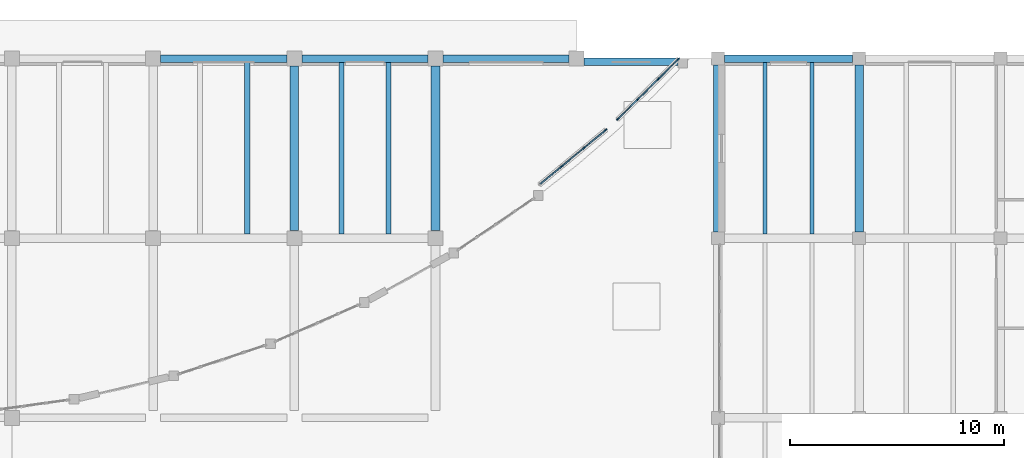
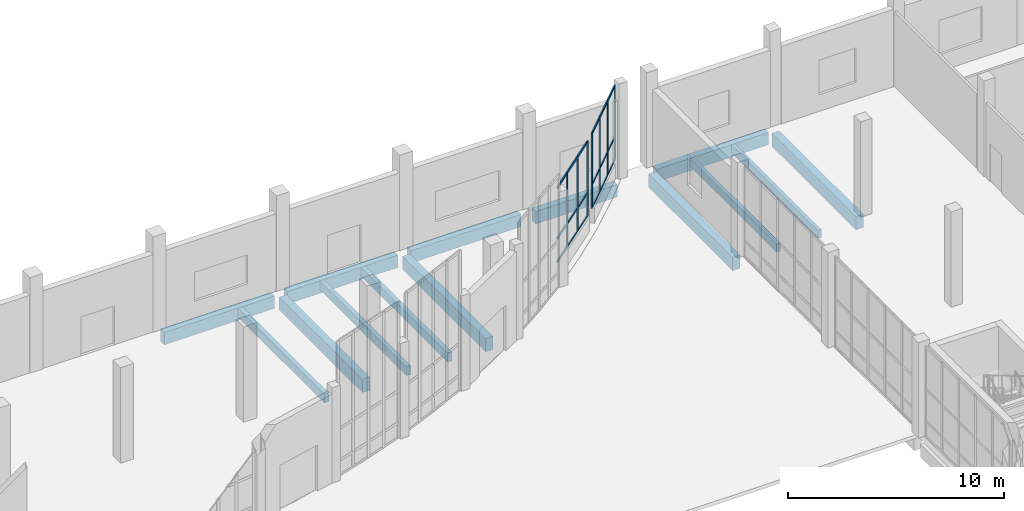
# One storey, part 25 of 64: 25 members, 14 beams, 2 elements without a shape of their own.
"""IFC4 building model written with IfcOpenShell, lengths in metres."""

from ifc_helpers import new_model, si_unit, direction, frame, origin, origin_2d, place, context, subcontext, project, spatial, rectangle, extrude, material, material_profile, profile_set, type_object, element, aggregate, save


model = new_model("IFC4")

# Units and contexts
model_context = context("Model", 3, precision=1e-05, world=origin(), true_north=direction((0.0, 1.0)))
body_context = subcontext(model_context, "Body", "Model", "MODEL_VIEW")
ifc_project = project(units=[si_unit("LENGTHUNIT", "METRE"), si_unit("AREAUNIT", "SQUARE_METRE"), si_unit("VOLUMEUNIT", "CUBIC_METRE"), si_unit("PLANEANGLEUNIT", "RADIAN"), si_unit("MASSUNIT", "GRAM", prefix="KILO")], contexts=[model_context])

# Site, building, storey
site_placement = place(None, origin())
site = spatial("IfcSite", under=ifc_project, at=site_placement, CompositionType="ELEMENT")
building_placement = place(site_placement, origin())
building = spatial("IfcBuilding", under=site, at=building_placement, Name="Qaldarim Faculty of Natural and Applied Sciences", CompositionType="ELEMENT")
storey_placement = place(building_placement, origin())
storey = spatial("IfcBuildingStorey", under=building, at=storey_placement, Name="L00", CompositionType="ELEMENT", Elevation=0.0)

# Beams
ifc_material_1 = material(Name="Concrete C40/50", Category="concrete")
ifc_material_profile_1 = material_profile(ifc_material_1, rectangle(XDim=0.239990234375, YDim=0.5, at=origin_2d()), Name="RC-J240x500")
ifc_profile_set_1 = profile_set([ifc_material_profile_1], Name="Concrete C40/50")
beam_type_1 = type_object("IfcBeamType", Name="HeavyJoist-RC240x500", PredefinedType="JOIST", material=ifc_profile_set_1)
for number, where, z_axis, x_axis, name in (
    (1, (129.800048828125, 109.39990234375, -0.610107421875), (0.0, 1.0, 0.0), (-1.0, 0.0, 0.0), "Laboratory joist B01 bay X20Y14-2"),
    (2, (134.199951171875, 109.39990234375, -0.610107421875), (0.0, 1.0, 0.0), (-1.0, 0.0, 0.0), "Laboratory joist B01 bay X21Y14-1"),
    (3, (136.39990234375, 109.39990234375, -0.610107421875), (0.0, 1.0, 0.0), (-1.0, 0.0, 0.0), "Laboratory joist B01 bay X21Y14-2"),
):
    element("IfcBeam", number, at=place(storey_placement, frame(where, z_axis=z_axis, x_axis=x_axis)), inside=storey, type_object=beam_type_1, Name=name, PredefinedType="JOIST", context=body_context, shape_type="SweptSolid", body=[
        extrude(rectangle(XDim=0.239990234375, YDim=0.5, at=origin_2d()), origin(), (0.0, 0.0, 1.0), 8.025146484375),
    ])
ifc_material_2 = material(Name="Concrete C50/60", Category="concrete")
ifc_material_profile_2 = material_profile(ifc_material_2, rectangle(XDim=0.39990234375, YDim=0.75, at=origin_2d()), Name="RC-B400x750")
ifc_profile_set_2 = profile_set([ifc_material_profile_2], Name="Concrete C50/60")
beam_type_2 = type_object("IfcBeamType", Name="LabGirder-RC400x750", PredefinedType="BEAM", material=ifc_profile_set_2)
for number, where, z_axis, x_axis, name in (
    (4, (132.0, 109.550048828125, -0.735107421875), (0.0, 1.0, 0.0), (-1.0, 0.0, 0.0), "Beam RC-B400x750 B01 X21/Y14-Y15"),
    (5, (138.60009765625, 109.550048828125, -0.735107421875), (0.0, 1.0, 0.0), (-1.0, 0.0, 0.0), "Beam RC-B400x750 B01 X22/Y14-Y15"),
):
    element("IfcBeam", number, at=place(storey_placement, frame(where, z_axis=z_axis, x_axis=x_axis)), inside=storey, type_object=beam_type_2, Name=name, PredefinedType="BEAM", context=body_context, shape_type="SweptSolid", body=[
        extrude(rectangle(XDim=0.39990234375, YDim=0.75, at=origin_2d()), origin(), (0.0, 0.0, 1.0), 7.699951171875),
    ])
for number, where, z_axis, x_axis, name in (
    (6, (151.800048828125, 109.5, -0.735107421875), (0.0, 1.0, 0.0), (-1.0, 0.0, 0.0), "Beam RC-B400x750 B01 X24/Y14-Y15"),
    (7, (158.39990234375, 109.5, -0.735107421875), (0.0, 1.0, 0.0), (-1.0, 0.0, 0.0), "Beam RC-B400x750 B01 X25/Y14-Y15"),
):
    element("IfcBeam", number, at=place(storey_placement, frame(where, z_axis=z_axis, x_axis=x_axis)), inside=storey, type_object=beam_type_2, Name=name, PredefinedType="BEAM", context=body_context, shape_type="SweptSolid", body=[
        extrude(rectangle(XDim=0.39990234375, YDim=0.75, at=origin_2d()), origin(), (0.0, 0.0, 1.0), 7.800048828125),
    ])
ifc_material_profile_3 = material_profile(ifc_material_1, rectangle(XDim=0.199951171875, YDim=0.449951171875, at=origin_2d()), Name="RC-J200x450")
ifc_profile_set_3 = profile_set([ifc_material_profile_3], Name="Concrete C40/50")
beam_type_3 = type_object("IfcBeamType", Name="LabJoist-RC200x450", PredefinedType="JOIST", material=ifc_profile_set_3)
for number, where, z_axis, x_axis, name in (
    (8, (154.0, 109.39990234375, -0.5849609375), (0.0, 1.0, 0.0), (-1.0, 0.0, 0.0), "Laboratory joist B01 bay X24Y14-1"),
    (9, (156.199951171875, 109.39990234375, -0.5849609375), (0.0, 1.0, 0.0), (-1.0, 0.0, 0.0), "Laboratory joist B01 bay X24Y14-2"),
):
    element("IfcBeam", number, at=place(storey_placement, frame(where, z_axis=z_axis, x_axis=x_axis)), inside=storey, type_object=beam_type_3, Name=name, PredefinedType="JOIST", context=body_context, shape_type="SweptSolid", body=[
        extrude(rectangle(XDim=0.199951171875, YDim=0.449951171875, at=origin_2d()), origin(), (0.0, 0.0, 1.0), 8.025146484375),
    ])

# Curtain wall, members
ifc_material_3 = material(Name="Anodised aluminium AW-6063", Category="aluminium")
curtain_wall_type = type_object("IfcCurtainWallType", Name="CurtainWallSystem-M1400", PredefinedType="USERDEFINED", material=ifc_material_3)
curtain_wall_1_placement = place(storey_placement, origin())
curtain_wall_1 = element("IfcCurtainWall", 10, at=curtain_wall_1_placement, inside=storey, type_object=curtain_wall_type, Name="Curtain wall CW-V4ARC-L00-14", ObjectType="STICK CURTAIN WALL", PredefinedType="USERDEFINED")
ifc_material_profile_4 = material_profile(ifc_material_3, rectangle(XDim=0.06005859375, YDim=0.14990234375, at=origin_2d()), Name="ALU-M60x150")
ifc_profile_set_4 = profile_set([ifc_material_profile_4], Name="Anodised aluminium AW-6063")
member_type_1 = type_object("IfcMemberType", Name="Mullion-ALU60x150", PredefinedType="MULLION", material=ifc_profile_set_4)
member_1_placement = place(storey_placement, frame((144.49658203125, 112.558349609375, 0.85009765625), z_axis=(0.0, 0.0, 1.0), x_axis=(-0.635930067271, 0.771746687418, 0.0)))
member_1 = element("IfcMember", 11, at=member_1_placement, type_object=member_type_1, Name="Mullion 2 of CW-V4ARC-L00-14", PredefinedType="MULLION", context=body_context, shape_type="SweptSolid", body=[
    extrude(rectangle(XDim=0.06005859375, YDim=0.14990234375, at=origin_2d()), origin(), (0.0, 0.0, 1.0), 4.25),
])
member_2_placement = place(storey_placement, frame((145.538330078125, 113.416748046875, 0.85009765625), z_axis=(0.0, 0.0, 1.0), x_axis=(-0.635930067271, 0.771746687418, 0.0)))
member_2 = element("IfcMember", 12, at=member_2_placement, type_object=member_type_1, Name="Mullion 3 of CW-V4ARC-L00-14", PredefinedType="MULLION", context=body_context, shape_type="SweptSolid", body=[
    extrude(rectangle(XDim=0.06005859375, YDim=0.14990234375, at=origin_2d()), origin(), (0.0, 0.0, 1.0), 4.25),
])
member_3_placement = place(storey_placement, frame((146.556884765625, 114.255859375, 0.85009765625), z_axis=(0.0, 0.0, 1.0), x_axis=(-0.635930067271, 0.771746687418, 0.0)))
member_3 = element("IfcMember", 13, at=member_3_placement, type_object=member_type_1, Name="Mullion 4 of CW-V4ARC-L00-14", PredefinedType="MULLION", context=body_context, shape_type="SweptSolid", body=[
    extrude(rectangle(XDim=0.06005859375, YDim=0.14990234375, at=origin_2d()), origin(), (0.0, 0.0, 1.0), 4.25),
])

curtain_wall_2_placement = place(storey_placement, origin())
curtain_wall_2 = element("IfcCurtainWall", 14, at=curtain_wall_2_placement, inside=storey, type_object=curtain_wall_type, Name="Curtain wall CW-V4ARC-L00-16", ObjectType="STICK CURTAIN WALL", PredefinedType="USERDEFINED")
member_4_placement = place(storey_placement, frame((147.1162109375, 114.760986328125, 0.85009765625), z_axis=(0.0, 0.0, 1.0), x_axis=(-0.704014724456, 0.710185375623, 0.0)))
member_4 = element("IfcMember", 15, at=member_4_placement, type_object=member_type_1, Name="Mullion 1 of CW-V4ARC-L00-16", PredefinedType="MULLION", context=body_context, shape_type="SweptSolid", body=[
    extrude(rectangle(XDim=0.06005859375, YDim=0.14990234375, at=origin_2d()), origin(), (0.0, 0.0, 1.0), 4.25),
])
member_5_placement = place(storey_placement, frame((148.05322265625, 115.68994140625, 0.85009765625), z_axis=(0.0, 0.0, 1.0), x_axis=(-0.704014724456, 0.710185375623, 0.0)))
member_5 = element("IfcMember", 16, at=member_5_placement, type_object=member_type_1, Name="Mullion 2 of CW-V4ARC-L00-16", PredefinedType="MULLION", context=body_context, shape_type="SweptSolid", body=[
    extrude(rectangle(XDim=0.06005859375, YDim=0.14990234375, at=origin_2d()), origin(), (0.0, 0.0, 1.0), 4.25),
])
member_6_placement = place(storey_placement, frame((149.01171875, 116.639892578125, 0.85009765625), z_axis=(0.0, 0.0, 1.0), x_axis=(-0.704014724456, 0.710185375623, 0.0)))
member_6 = element("IfcMember", 17, at=member_6_placement, type_object=member_type_1, Name="Mullion 3 of CW-V4ARC-L00-16", PredefinedType="MULLION", context=body_context, shape_type="SweptSolid", body=[
    extrude(rectangle(XDim=0.06005859375, YDim=0.14990234375, at=origin_2d()), origin(), (0.0, 0.0, 1.0), 4.25),
])
member_7_placement = place(storey_placement, frame((149.94873046875, 117.56884765625, 0.85009765625), z_axis=(0.0, 0.0, 1.0), x_axis=(-0.704014724456, 0.710185375623, 0.0)))
member_7 = element("IfcMember", 18, at=member_7_placement, type_object=member_type_1, Name="Mullion 4 of CW-V4ARC-L00-16", PredefinedType="MULLION", context=body_context, shape_type="SweptSolid", body=[
    extrude(rectangle(XDim=0.06005859375, YDim=0.14990234375, at=origin_2d()), origin(), (0.0, 0.0, 1.0), 4.25),
])

# Beams
ifc_material_profile_5 = material_profile(ifc_material_1, rectangle(XDim=0.35009765625, YDim=0.699951171875, at=origin_2d()), Name="RC-B350x700")
ifc_profile_set_5 = profile_set([ifc_material_profile_5], Name="Concrete C40/50")
beam_type_4 = type_object("IfcBeamType", Name="PrimaryGirder-RC350x700", PredefinedType="BEAM", material=ifc_profile_set_5)
for number, where, z_axis, x_axis, name in (
    (19, (125.75, 117.60009765625, -0.7099609375), (1.0, 0.0, 0.0), (0.0, 1.0, 0.0), "Beam RC-B350x700 B01 X20-X21/Y15"),
    (20, (132.35009765625, 117.60009765625, -0.7099609375), (1.0, 0.0, 0.0), (0.0, 1.0, 0.0), "Beam RC-B350x700 B01 X21-X22/Y15"),
):
    element("IfcBeam", number, at=place(storey_placement, frame(where, z_axis=z_axis, x_axis=x_axis)), inside=storey, type_object=beam_type_4, Name=name, PredefinedType="BEAM", context=body_context, shape_type="SweptSolid", body=[
        extrude(rectangle(XDim=0.35009765625, YDim=0.699951171875, at=origin_2d()), origin(), (0.0, 0.0, 1.0), 5.89990234375),
    ])
beam_1_placement = place(storey_placement, frame((138.949951171875, 117.60009765625, -0.7099609375), z_axis=(1.0, 0.0, 0.0), x_axis=(0.0, 1.0, 0.0)))
element("IfcBeam", 21, at=beam_1_placement, inside=storey, type_object=beam_type_4, Name="Beam RC-B350x700 B01 X22-X23/Y15", PredefinedType="BEAM", context=body_context, shape_type="SweptSolid", body=[
    extrude(rectangle(XDim=0.35009765625, YDim=0.699951171875, at=origin_2d()), origin(), (0.0, 0.0, 1.0), 5.900146484375),
])
beam_2_placement = place(storey_placement, frame((152.10009765625, 117.60009765625, -0.7099609375), z_axis=(1.0, 0.0, 0.0), x_axis=(0.0, 1.0, 0.0)))
element("IfcBeam", 22, at=beam_2_placement, inside=storey, type_object=beam_type_4, Name="Beam RC-B350x700 B01 X24-X25/Y15", PredefinedType="BEAM", context=body_context, shape_type="SweptSolid", body=[
    extrude(rectangle(XDim=0.35009765625, YDim=0.699951171875, at=origin_2d()), origin(), (0.0, 0.0, 1.0), 6.0),
])
beam_3_placement = place(storey_placement, frame((145.550048828125, 117.449951171875, -0.7099609375), z_axis=(1.0, 0.0, 0.0), x_axis=(0.0, 1.0, 0.0)))
element("IfcBeam", 23, at=beam_3_placement, inside=storey, type_object=beam_type_4, Name="Laboratories NE corner perimeter beam B01", PredefinedType="BEAM", context=body_context, shape_type="SweptSolid", body=[
    extrude(rectangle(XDim=0.35009765625, YDim=0.699951171875, at=origin_2d()), origin(), (0.0, 0.0, 1.0), 4.375),
])

# Member
ifc_material_profile_6 = material_profile(ifc_material_3, rectangle(XDim=0.06005859375, YDim=0.1201171875, at=origin_2d()), Name="ALU-T60x120")
ifc_profile_set_6 = profile_set([ifc_material_profile_6], Name="Anodised aluminium AW-6063")
member_type_2 = type_object("IfcMemberType", Name="Transom-ALU60x120", PredefinedType="USERDEFINED", material=ifc_profile_set_6)
member_8_placement = place(storey_placement, frame((143.501220703125, 111.73828125, 0.8798828125), z_axis=(0.77176796605, 0.635904243247, 0.0), x_axis=(-0.635904243247, 0.77176796605, 0.0)))
member_8 = element("IfcMember", 24, at=member_8_placement, type_object=member_type_2, Name="Transom 1-1 of CW-V4ARC-L00-14", ObjectType="TRANSOM", PredefinedType="USERDEFINED", context=body_context, shape_type="SweptSolid", body=[
    extrude(rectangle(XDim=0.06005859375, YDim=0.1201171875, at=origin_2d()), origin(), (0.0, 0.0, 1.0), 1.259765625),
])

member_9_placement = place(storey_placement, frame((143.501220703125, 111.73828125, 2.199951171875), z_axis=(0.77176796605, 0.635904243247, 0.0), x_axis=(-0.635904243247, 0.77176796605, 0.0)))
member_9 = element("IfcMember", 25, at=member_9_placement, type_object=member_type_2, Name="Transom 1-2 of CW-V4ARC-L00-14", ObjectType="TRANSOM", PredefinedType="USERDEFINED", context=body_context, shape_type="SweptSolid", body=[
    extrude(rectangle(XDim=0.06005859375, YDim=0.1201171875, at=origin_2d()), origin(), (0.0, 0.0, 1.0), 1.259765625),
])

member_10_placement = place(storey_placement, frame((143.501220703125, 111.73828125, 5.070068359375), z_axis=(0.77176796605, 0.635904243247, 0.0), x_axis=(-0.635904243247, 0.77176796605, 0.0)))
member_10 = element("IfcMember", 26, at=member_10_placement, type_object=member_type_2, Name="Transom 1-3 of CW-V4ARC-L00-14", ObjectType="TRANSOM", PredefinedType="USERDEFINED", context=body_context, shape_type="SweptSolid", body=[
    extrude(rectangle(XDim=0.06005859375, YDim=0.1201171875, at=origin_2d()), origin(), (0.0, 0.0, 1.0), 1.259765625),
])

member_11_placement = place(storey_placement, frame((144.519775390625, 112.577392578125, 0.8798828125), z_axis=(0.771700705887, 0.635985865043, 0.0), x_axis=(-0.635985865043, 0.771700705887, 0.0)))
member_11 = element("IfcMember", 27, at=member_11_placement, type_object=member_type_2, Name="Transom 2-1 of CW-V4ARC-L00-14", ObjectType="TRANSOM", PredefinedType="USERDEFINED", context=body_context, shape_type="SweptSolid", body=[
    extrude(rectangle(XDim=0.06005859375, YDim=0.1201171875, at=origin_2d()), origin(), (0.0, 0.0, 1.0), 1.289794921875),
])

member_12_placement = place(storey_placement, frame((144.519775390625, 112.577392578125, 2.199951171875), z_axis=(0.771700705887, 0.635985865043, 0.0), x_axis=(-0.635985865043, 0.771700705887, 0.0)))
member_12 = element("IfcMember", 28, at=member_12_placement, type_object=member_type_2, Name="Transom 2-2 of CW-V4ARC-L00-14", ObjectType="TRANSOM", PredefinedType="USERDEFINED", context=body_context, shape_type="SweptSolid", body=[
    extrude(rectangle(XDim=0.06005859375, YDim=0.1201171875, at=origin_2d()), origin(), (0.0, 0.0, 1.0), 1.289794921875),
])

member_13_placement = place(storey_placement, frame((144.519775390625, 112.577392578125, 5.070068359375), z_axis=(0.771700705887, 0.635985865043, 0.0), x_axis=(-0.635985865043, 0.771700705887, 0.0)))
member_13 = element("IfcMember", 29, at=member_13_placement, type_object=member_type_2, Name="Transom 2-3 of CW-V4ARC-L00-14", ObjectType="TRANSOM", PredefinedType="USERDEFINED", context=body_context, shape_type="SweptSolid", body=[
    extrude(rectangle(XDim=0.06005859375, YDim=0.1201171875, at=origin_2d()), origin(), (0.0, 0.0, 1.0), 1.289794921875),
])

member_14_placement = place(storey_placement, frame((145.5615234375, 113.435791015625, 0.8798828125), z_axis=(0.77176796605, 0.635904243247, 0.0), x_axis=(-0.635904243247, 0.77176796605, 0.0)))
member_14 = element("IfcMember", 30, at=member_14_placement, type_object=member_type_2, Name="Transom 3-1 of CW-V4ARC-L00-14", ObjectType="TRANSOM", PredefinedType="USERDEFINED", context=body_context, shape_type="SweptSolid", body=[
    extrude(rectangle(XDim=0.06005859375, YDim=0.1201171875, at=origin_2d()), origin(), (0.0, 0.0, 1.0), 1.259765625),
])

member_15_placement = place(storey_placement, frame((145.5615234375, 113.435791015625, 2.199951171875), z_axis=(0.77176796605, 0.635904243247, 0.0), x_axis=(-0.635904243247, 0.77176796605, 0.0)))
member_15 = element("IfcMember", 31, at=member_15_placement, type_object=member_type_2, Name="Transom 3-2 of CW-V4ARC-L00-14", ObjectType="TRANSOM", PredefinedType="USERDEFINED", context=body_context, shape_type="SweptSolid", body=[
    extrude(rectangle(XDim=0.06005859375, YDim=0.1201171875, at=origin_2d()), origin(), (0.0, 0.0, 1.0), 1.259765625),
])

member_16_placement = place(storey_placement, frame((145.5615234375, 113.435791015625, 5.070068359375), z_axis=(0.77176796605, 0.635904243247, 0.0), x_axis=(-0.635904243247, 0.77176796605, 0.0)))
member_16 = element("IfcMember", 32, at=member_16_placement, type_object=member_type_2, Name="Transom 3-3 of CW-V4ARC-L00-14", ObjectType="TRANSOM", PredefinedType="USERDEFINED", context=body_context, shape_type="SweptSolid", body=[
    extrude(rectangle(XDim=0.06005859375, YDim=0.1201171875, at=origin_2d()), origin(), (0.0, 0.0, 1.0), 1.259765625),
])

aggregate(curtain_wall_1, [member_1, member_2, member_3, member_8, member_9, member_10, member_11, member_12, member_13, member_14, member_15, member_16])

member_17_placement = place(storey_placement, frame((147.1376953125, 114.7822265625, 0.8798828125), z_axis=(0.71010520996, 0.704095583559, 0.0), x_axis=(-0.704095583559, 0.71010520996, 0.0)))
member_17 = element("IfcMember", 33, at=member_17_placement, type_object=member_type_2, Name="Transom 1-1 of CW-V4ARC-L00-16", ObjectType="TRANSOM", PredefinedType="USERDEFINED", context=body_context, shape_type="SweptSolid", body=[
    extrude(rectangle(XDim=0.06005859375, YDim=0.1201171875, at=origin_2d()), origin(), (0.0, 0.0, 1.0), 1.25927734375),
])

member_18_placement = place(storey_placement, frame((147.1376953125, 114.7822265625, 2.199951171875), z_axis=(0.71010520996, 0.704095583559, 0.0), x_axis=(-0.704095583559, 0.71010520996, 0.0)))
member_18 = element("IfcMember", 34, at=member_18_placement, type_object=member_type_2, Name="Transom 1-2 of CW-V4ARC-L00-16", ObjectType="TRANSOM", PredefinedType="USERDEFINED", context=body_context, shape_type="SweptSolid", body=[
    extrude(rectangle(XDim=0.06005859375, YDim=0.1201171875, at=origin_2d()), origin(), (0.0, 0.0, 1.0), 1.25927734375),
])

member_19_placement = place(storey_placement, frame((147.1376953125, 114.7822265625, 5.070068359375), z_axis=(0.71010520996, 0.704095583559, 0.0), x_axis=(-0.704095583559, 0.71010520996, 0.0)))
member_19 = element("IfcMember", 35, at=member_19_placement, type_object=member_type_2, Name="Transom 1-3 of CW-V4ARC-L00-16", ObjectType="TRANSOM", PredefinedType="USERDEFINED", context=body_context, shape_type="SweptSolid", body=[
    extrude(rectangle(XDim=0.06005859375, YDim=0.1201171875, at=origin_2d()), origin(), (0.0, 0.0, 1.0), 1.25927734375),
])

member_20_placement = place(storey_placement, frame((148.07470703125, 115.711181640625, 0.8798828125), z_axis=(0.710224032192, 0.703975726923, 0.0), x_axis=(-0.703975726923, 0.710224032192, 0.0)))
member_20 = element("IfcMember", 36, at=member_20_placement, type_object=member_type_2, Name="Transom 2-1 of CW-V4ARC-L00-16", ObjectType="TRANSOM", PredefinedType="USERDEFINED", context=body_context, shape_type="SweptSolid", body=[
    extrude(rectangle(XDim=0.06005859375, YDim=0.1201171875, at=origin_2d()), origin(), (0.0, 0.0, 1.0), 1.289306640625),
])

member_21_placement = place(storey_placement, frame((148.07470703125, 115.711181640625, 2.199951171875), z_axis=(0.710224032192, 0.703975726923, 0.0), x_axis=(-0.703975726923, 0.710224032192, 0.0)))
member_21 = element("IfcMember", 37, at=member_21_placement, type_object=member_type_2, Name="Transom 2-2 of CW-V4ARC-L00-16", ObjectType="TRANSOM", PredefinedType="USERDEFINED", context=body_context, shape_type="SweptSolid", body=[
    extrude(rectangle(XDim=0.06005859375, YDim=0.1201171875, at=origin_2d()), origin(), (0.0, 0.0, 1.0), 1.289306640625),
])

member_22_placement = place(storey_placement, frame((148.07470703125, 115.711181640625, 5.070068359375), z_axis=(0.710224032192, 0.703975726923, 0.0), x_axis=(-0.703975726923, 0.710224032192, 0.0)))
member_22 = element("IfcMember", 38, at=member_22_placement, type_object=member_type_2, Name="Transom 2-3 of CW-V4ARC-L00-16", ObjectType="TRANSOM", PredefinedType="USERDEFINED", context=body_context, shape_type="SweptSolid", body=[
    extrude(rectangle(XDim=0.06005859375, YDim=0.1201171875, at=origin_2d()), origin(), (0.0, 0.0, 1.0), 1.289306640625),
])

member_23_placement = place(storey_placement, frame((149.032958984375, 116.6611328125, 0.8798828125), z_axis=(0.71020129579, 0.703998664386, 0.0), x_axis=(-0.703998664386, 0.71020129579, 0.0)))
member_23 = element("IfcMember", 39, at=member_23_placement, type_object=member_type_2, Name="Transom 3-1 of CW-V4ARC-L00-16", ObjectType="TRANSOM", PredefinedType="USERDEFINED", context=body_context, shape_type="SweptSolid", body=[
    extrude(rectangle(XDim=0.06005859375, YDim=0.1201171875, at=origin_2d()), origin(), (0.0, 0.0, 1.0), 1.259521484375),
])

member_24_placement = place(storey_placement, frame((149.032958984375, 116.6611328125, 2.199951171875), z_axis=(0.71020129579, 0.703998664386, 0.0), x_axis=(-0.703998664386, 0.71020129579, 0.0)))
member_24 = element("IfcMember", 40, at=member_24_placement, type_object=member_type_2, Name="Transom 3-2 of CW-V4ARC-L00-16", ObjectType="TRANSOM", PredefinedType="USERDEFINED", context=body_context, shape_type="SweptSolid", body=[
    extrude(rectangle(XDim=0.06005859375, YDim=0.1201171875, at=origin_2d()), origin(), (0.0, 0.0, 1.0), 1.259521484375),
])

member_25_placement = place(storey_placement, frame((149.032958984375, 116.6611328125, 5.070068359375), z_axis=(0.71020129579, 0.703998664386, 0.0), x_axis=(-0.703998664386, 0.71020129579, 0.0)))
member_25 = element("IfcMember", 41, at=member_25_placement, type_object=member_type_2, Name="Transom 3-3 of CW-V4ARC-L00-16", ObjectType="TRANSOM", PredefinedType="USERDEFINED", context=body_context, shape_type="SweptSolid", body=[
    extrude(rectangle(XDim=0.06005859375, YDim=0.1201171875, at=origin_2d()), origin(), (0.0, 0.0, 1.0), 1.259521484375),
])

aggregate(curtain_wall_2, [member_4, member_5, member_6, member_7, member_17, member_18, member_19, member_20, member_21, member_22, member_23, member_24, member_25])

save(model, "model.ifc")
